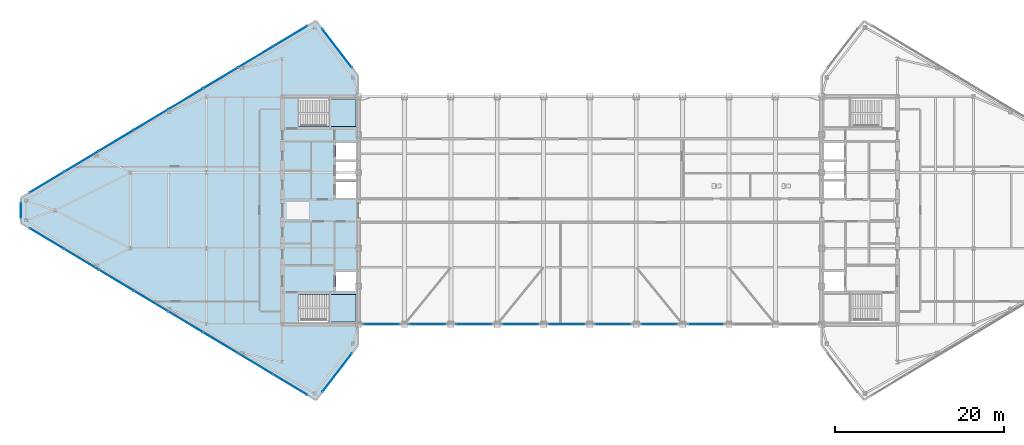
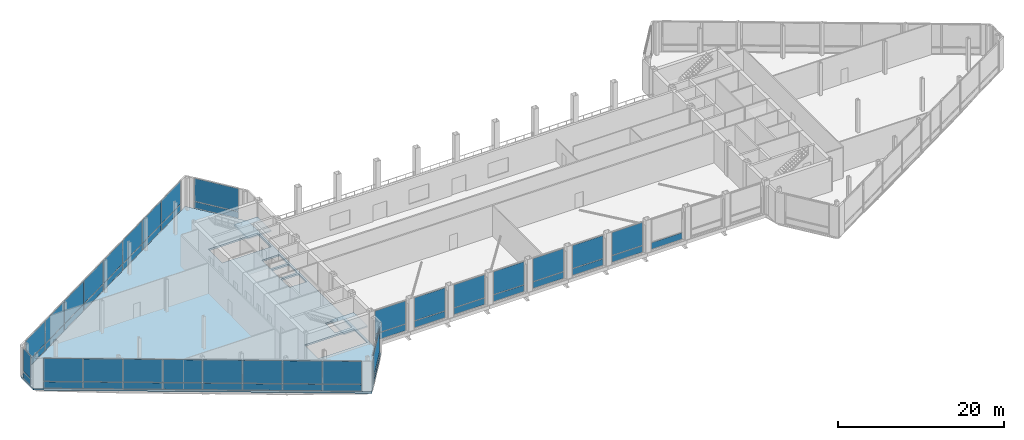
# One storey, part 19 of 28: 53 plates, 3 slabs, 15 elements without a shape of their own.
"""IFC4 building model written with IfcOpenShell, lengths in metres."""

from ifc_helpers import new_model, si_unit, direction, frame, origin, origin_2d, place, context, subcontext, project, spatial, polyline, rectangle, outline, extrude, source, transform, mapped, material, layer, layer_set, type_object, type_shapes, element, aggregate, save


model = new_model("IFC4")

# Units and contexts
model_context = context("Model", 3, precision=1e-05, world=origin(), true_north=direction((0.0, 1.0)))
body_context = subcontext(model_context, "Body", "Model", "MODEL_VIEW")
ifc_project = project(units=[si_unit("LENGTHUNIT", "METRE"), si_unit("AREAUNIT", "SQUARE_METRE"), si_unit("VOLUMEUNIT", "CUBIC_METRE"), si_unit("PLANEANGLEUNIT", "RADIAN"), si_unit("MASSUNIT", "GRAM", prefix="KILO")], contexts=[model_context])

# Site, building, storey
site_placement = place(None, origin())
site = spatial("IfcSite", under=ifc_project, at=site_placement, CompositionType="ELEMENT")
building_placement = place(site_placement, origin())
building = spatial("IfcBuilding", under=site, at=building_placement, Name="Seokmaru Belvedere", CompositionType="ELEMENT")
storey_placement = place(building_placement, frame((0.0, 0.0, 274.199951171875)))
storey = spatial("IfcBuildingStorey", under=building, at=storey_placement, Name="L72", CompositionType="ELEMENT", Elevation=274.199951171875)

# Slab
ifc_material_1 = material(Name="Concrete C50 (50 MPa)", Category="concrete")
ifc_layer_1 = layer(ifc_material_1, 0.260009765625)
ifc_layer_set_1 = layer_set([ifc_layer_1], Name="Concrete C50 (50 MPa)")
slab_type_1 = type_object("IfcSlabType", Name="Refuge and Sky-Gate Heavy Floor Slab 260", PredefinedType="FLOOR", material=ifc_layer_set_1)
slab_1_placement = place(storey_placement, frame((0.0, 0.0, -0.260009765625)))
element("IfcSlab", 1, at=slab_1_placement, inside=storey, type_object=slab_type_1, Name="L72 West Leg Floor Slab", PredefinedType="FLOOR", context=body_context, shape_type="SweptSolid", body=[
    extrude(outline(polyline([(-27.5, -16.0), (-27.5, 16.0), (-32.5, 22.5), (-67.5, 1.5), (-67.5, -1.5), (-32.5, -22.5), (-27.5, -16.0)]), holes=[polyline([(-34.60009765625, -13.25), (-27.75, -13.25), (-27.75, -9.949951171875), (-34.60009765625, -9.949951171875), (-34.60009765625, -13.25)]), polyline([(-34.60009765625, 9.949951171875), (-27.75, 9.949951171875), (-27.75, 13.25), (-34.60009765625, 13.25), (-34.60009765625, 9.949951171875)]), polyline([(-30.14990234375, -9.550048828125), (-27.75, -9.550048828125), (-27.75, -7.25), (-30.14990234375, -7.25), (-30.14990234375, -9.550048828125)]), polyline([(-30.14990234375, 1.449951171875), (-27.75, 1.449951171875), (-27.75, 3.449951171875), (-30.14990234375, 3.449951171875), (-30.14990234375, 1.449951171875)]), polyline([(-30.14990234375, 3.75), (-27.75, 3.75), (-27.75, 5.75), (-30.14990234375, 5.75), (-30.14990234375, 3.75)]), polyline([(-30.14990234375, 6.050048828125), (-27.75, 6.050048828125), (-27.75, 8.050048828125), (-30.14990234375, 8.050048828125), (-30.14990234375, 6.050048828125)])]), origin(), (0.0, 0.0, 1.0), 0.260009765625),
])

# Stair, slab
ifc_material_2 = material(Name="Concrete C40 (40 MPa)", Category="concrete")
stair_type = type_object("IfcStairType", Name="Basement Core Dog-Leg Stair 4800", PredefinedType="TWO_STRAIGHT_RUN_STAIR", material=ifc_material_2)
stair_1_placement = place(storey_placement, origin())
stair_1 = element("IfcStair", 2, at=stair_1_placement, inside=storey, type_object=stair_type, Name="L72 Special Escape Stair ST-W1", PredefinedType="TWO_STRAIGHT_RUN_STAIR")
ifc_layer_2 = layer(ifc_material_2, 0.199951171875)
ifc_layer_set_2 = layer_set([ifc_layer_2], Name="Concrete C40 (40 MPa)")
slab_type_2 = type_object("IfcSlabType", Name="Reinforced Concrete Stair Landing Slab 200", PredefinedType="LANDING", material=ifc_layer_set_2)
slab_2_placement = place(storey_placement, frame((0.0, 0.0, 2.199951171875)))
slab_2 = element("IfcSlab", 3, at=slab_2_placement, type_object=slab_type_2, Name="ST-W1 landing 1", PredefinedType="LANDING", context=body_context, shape_type="SweptSolid", body=[
    extrude(outline(polyline([(-31.0400390625, -13.239990234375), (-27.760009765625, -13.239990234375), (-27.760009765625, -9.949951171875), (-31.0400390625, -9.949951171875), (-31.0400390625, -13.239990234375)])), origin(), (0.0, 0.0, 1.0), 0.2001953125),
])
aggregate(stair_1, [slab_2])

stair_2_placement = place(storey_placement, origin())
stair_2 = element("IfcStair", 4, at=stair_2_placement, inside=storey, type_object=stair_type, Name="L72 Special Escape Stair ST-W2", PredefinedType="TWO_STRAIGHT_RUN_STAIR")
slab_3_placement = place(storey_placement, frame((0.0, 0.0, 2.199951171875)))
slab_3 = element("IfcSlab", 5, at=slab_3_placement, type_object=slab_type_2, Name="ST-W2 landing 1", PredefinedType="LANDING", context=body_context, shape_type="SweptSolid", body=[
    extrude(outline(polyline([(-31.0400390625, 9.949951171875), (-27.760009765625, 9.949951171875), (-27.760009765625, 13.239990234375), (-31.0400390625, 13.239990234375), (-31.0400390625, 9.949951171875)])), origin(), (0.0, 0.0, 1.0), 0.2001953125),
])
aggregate(stair_2, [slab_3])

# Curtain wall, plate
ifc_material_3 = material(Name="Bronze Triple Insulating Glass", Category="glass")
ifc_layer_3 = layer(ifc_material_3, 0.219970703125)
ifc_layer_set_3 = layer_set([ifc_layer_3], Name="Bronze Triple Insulating Glass")
curtain_wall_type = type_object("IfcCurtainWallType", Name="Sky-Gate Bridge Panorama Curtain Wall System CW-6", PredefinedType="NOTDEFINED", material=ifc_layer_set_3)
curtain_wall_1_placement = place(storey_placement, origin())
curtain_wall_1 = element("IfcCurtainWall", 6, at=curtain_wall_1_placement, inside=storey, type_object=curtain_wall_type, Name="L72 Curtain Wall WF2", PredefinedType="NOTDEFINED")
ifc_layer_4 = layer(ifc_material_3, 0.048095703125)
ifc_layer_set_4 = layer_set([ifc_layer_4], Name="Bronze Triple Insulating Glass")
plate_type_1 = type_object("IfcPlateType", Name="Insulated Bronze Spandrel Glazing Panel 48", PredefinedType="CURTAIN_PANEL", material=ifc_layer_set_4)
shared_shape_1 = source(origin(), body_context, "Body", "SweptSolid", [
    extrude(rectangle(XDim=5.740478515625, YDim=0.0419921875, at=origin_2d()), origin(), (0.0, 0.0, 1.0), 0.9375),
])
plate_1_placement = place(storey_placement, frame((-30.0, 19.25, 0.074951171875), z_axis=(0.0, 0.0, 1.0), x_axis=(-0.609701187349, 0.792631353244, 0.0)))
plate_1 = element("IfcPlate", 7, at=plate_1_placement, type_object=plate_type_1, Name="CW:L72:WF2 Glazing Panel 1-1", PredefinedType="CURTAIN_PANEL", context=body_context, shape_type="MappedRepresentation", body=[
    mapped(shared_shape_1, transform((0.0, 0.0, 0.0), scale=1.0)),
])

curtain_wall_2_placement = place(storey_placement, origin())
curtain_wall_2 = element("IfcCurtainWall", 8, at=curtain_wall_2_placement, inside=storey, type_object=curtain_wall_type, Name="L72 Curtain Wall WF6", PredefinedType="NOTDEFINED")
plate_2_placement = place(storey_placement, frame((-30.0, -19.25, 0.074951171875), z_axis=(0.0, 0.0, 1.0), x_axis=(0.609701187349, 0.792631353244, 0.0)))
plate_2 = element("IfcPlate", 9, at=plate_2_placement, type_object=plate_type_1, Name="CW:L72:WF6 Glazing Panel 1-1", PredefinedType="CURTAIN_PANEL", context=body_context, shape_type="MappedRepresentation", body=[
    mapped(shared_shape_1, transform((0.0, 0.0, 0.0), scale=1.0)),
])

# Curtain wall, plates
curtain_wall_3_placement = place(storey_placement, origin())
curtain_wall_3 = element("IfcCurtainWall", 10, at=curtain_wall_3_placement, inside=storey, type_object=curtain_wall_type, Name="L72 Curtain Wall WF3", PredefinedType="NOTDEFINED")
shared_shape_2 = source(origin(), body_context, "Body", "SweptSolid", [
    extrude(rectangle(XDim=4.694580078125, YDim=0.0419921875, at=origin_2d()), origin(), (0.0, 0.0, 1.0), 0.9375),
])
plate_3_placement = place(storey_placement, frame((-35.5673828125, 20.659423828125, 0.074951171875), z_axis=(0.0, 0.0, 1.0), x_axis=(-0.85749343335, -0.514494909364, 0.0)))
plate_3 = element("IfcPlate", 11, at=plate_3_placement, type_object=plate_type_1, Name="CW:L72:WF3 Glazing Panel 1-1", PredefinedType="CURTAIN_PANEL", context=body_context, shape_type="MappedRepresentation", body=[
    mapped(shared_shape_2, transform((0.0, 0.0, 0.0), scale=1.0)),
])
plate_4_placement = place(storey_placement, frame((-64.4326171875, 3.340576171875, 0.074951171875), z_axis=(0.0, 0.0, 1.0), x_axis=(-0.85749343335, -0.514494909364, 0.0)))
plate_4 = element("IfcPlate", 12, at=plate_4_placement, type_object=plate_type_1, Name="CW:L72:WF3 Glazing Panel 8-1", PredefinedType="CURTAIN_PANEL", context=body_context, shape_type="MappedRepresentation", body=[
    mapped(shared_shape_2, transform((0.0, 0.0, 0.0), scale=1.0)),
])

curtain_wall_4_placement = place(storey_placement, origin())
curtain_wall_4 = element("IfcCurtainWall", 13, at=curtain_wall_4_placement, inside=storey, type_object=curtain_wall_type, Name="L72 Curtain Wall WF5", PredefinedType="NOTDEFINED")
plate_5_placement = place(storey_placement, frame((-64.4326171875, -3.340576171875, 0.074951171875), z_axis=(0.0, 0.0, 1.0), x_axis=(0.85749343335, -0.514494909364, 0.0)))
plate_5 = element("IfcPlate", 14, at=plate_5_placement, type_object=plate_type_1, Name="CW:L72:WF5 Glazing Panel 1-1", PredefinedType="CURTAIN_PANEL", context=body_context, shape_type="MappedRepresentation", body=[
    mapped(shared_shape_2, transform((0.0, 0.0, 0.0), scale=1.0)),
])
plate_6_placement = place(storey_placement, frame((-35.5673828125, -20.659423828125, 0.074951171875), z_axis=(0.0, 0.0, 1.0), x_axis=(0.85749343335, -0.514494909364, 0.0)))
plate_6 = element("IfcPlate", 15, at=plate_6_placement, type_object=plate_type_1, Name="CW:L72:WF5 Glazing Panel 8-1", PredefinedType="CURTAIN_PANEL", context=body_context, shape_type="MappedRepresentation", body=[
    mapped(shared_shape_2, transform((0.0, 0.0, 0.0), scale=1.0)),
])

# Plate
shared_shape_3 = source(origin(), body_context, "Body", "SweptSolid", [
    extrude(rectangle(XDim=4.734619140625, YDim=0.0419921875, at=origin_2d()), origin(), (0.0, 0.0, 1.0), 0.9375),
])
plate_7_placement = place(storey_placement, frame((-39.6787109375, 18.192626953125, 0.074951171875), z_axis=(0.0, 0.0, 1.0), x_axis=(-0.85749343335, -0.514494909364, 0.0)))
plate_7 = element("IfcPlate", 16, at=plate_7_placement, type_object=plate_type_1, Name="CW:L72:WF3 Glazing Panel 2-1", PredefinedType="CURTAIN_PANEL", context=body_context, shape_type="MappedRepresentation", body=[
    mapped(shared_shape_3, transform((0.0, 0.0, 0.0), scale=1.0)),
])

plate_8_placement = place(storey_placement, frame((-43.807373046875, 15.715576171875, 0.074951171875), z_axis=(0.0, 0.0, 1.0), x_axis=(-0.85749343335, -0.514494909364, 0.0)))
plate_8 = element("IfcPlate", 17, at=plate_8_placement, type_object=plate_type_1, Name="CW:L72:WF3 Glazing Panel 3-1", PredefinedType="CURTAIN_PANEL", context=body_context, shape_type="MappedRepresentation", body=[
    mapped(shared_shape_3, transform((0.0, 0.0, 0.0), scale=1.0)),
])

plate_9_placement = place(storey_placement, frame((-47.935791015625, 13.238525390625, 0.074951171875), z_axis=(0.0, 0.0, 1.0), x_axis=(-0.85749343335, -0.514494909364, 0.0)))
plate_9 = element("IfcPlate", 18, at=plate_9_placement, type_object=plate_type_1, Name="CW:L72:WF3 Glazing Panel 4-1", PredefinedType="CURTAIN_PANEL", context=body_context, shape_type="MappedRepresentation", body=[
    mapped(shared_shape_3, transform((0.0, 0.0, 0.0), scale=1.0)),
])

plate_10_placement = place(storey_placement, frame((-52.064208984375, 10.761474609375, 0.074951171875), z_axis=(0.0, 0.0, 1.0), x_axis=(-0.85749343335, -0.514494909364, 0.0)))
plate_10 = element("IfcPlate", 19, at=plate_10_placement, type_object=plate_type_1, Name="CW:L72:WF3 Glazing Panel 5-1", PredefinedType="CURTAIN_PANEL", context=body_context, shape_type="MappedRepresentation", body=[
    mapped(shared_shape_3, transform((0.0, 0.0, 0.0), scale=1.0)),
])

plate_11_placement = place(storey_placement, frame((-56.192626953125, 8.284423828125, 0.074951171875), z_axis=(0.0, 0.0, 1.0), x_axis=(-0.85749343335, -0.514494909364, 0.0)))
plate_11 = element("IfcPlate", 20, at=plate_11_placement, type_object=plate_type_1, Name="CW:L72:WF3 Glazing Panel 6-1", PredefinedType="CURTAIN_PANEL", context=body_context, shape_type="MappedRepresentation", body=[
    mapped(shared_shape_3, transform((0.0, 0.0, 0.0), scale=1.0)),
])

plate_12_placement = place(storey_placement, frame((-60.3212890625, 5.807373046875, 0.074951171875), z_axis=(0.0, 0.0, 1.0), x_axis=(-0.85749343335, -0.514494909364, 0.0)))
plate_12 = element("IfcPlate", 21, at=plate_12_placement, type_object=plate_type_1, Name="CW:L72:WF3 Glazing Panel 7-1", PredefinedType="CURTAIN_PANEL", context=body_context, shape_type="MappedRepresentation", body=[
    mapped(shared_shape_3, transform((0.0, 0.0, 0.0), scale=1.0)),
])

plate_13_placement = place(storey_placement, frame((-60.3212890625, -5.807373046875, 0.074951171875), z_axis=(0.0, 0.0, 1.0), x_axis=(0.85749343335, -0.514494909364, 0.0)))
plate_13 = element("IfcPlate", 22, at=plate_13_placement, type_object=plate_type_1, Name="CW:L72:WF5 Glazing Panel 2-1", PredefinedType="CURTAIN_PANEL", context=body_context, shape_type="MappedRepresentation", body=[
    mapped(shared_shape_3, transform((0.0, 0.0, 0.0), scale=1.0)),
])

plate_14_placement = place(storey_placement, frame((-56.192626953125, -8.284423828125, 0.074951171875), z_axis=(0.0, 0.0, 1.0), x_axis=(0.85749343335, -0.514494909364, 0.0)))
plate_14 = element("IfcPlate", 23, at=plate_14_placement, type_object=plate_type_1, Name="CW:L72:WF5 Glazing Panel 3-1", PredefinedType="CURTAIN_PANEL", context=body_context, shape_type="MappedRepresentation", body=[
    mapped(shared_shape_3, transform((0.0, 0.0, 0.0), scale=1.0)),
])

plate_15_placement = place(storey_placement, frame((-52.064208984375, -10.761474609375, 0.074951171875), z_axis=(0.0, 0.0, 1.0), x_axis=(0.85749343335, -0.514494909364, 0.0)))
plate_15 = element("IfcPlate", 24, at=plate_15_placement, type_object=plate_type_1, Name="CW:L72:WF5 Glazing Panel 4-1", PredefinedType="CURTAIN_PANEL", context=body_context, shape_type="MappedRepresentation", body=[
    mapped(shared_shape_3, transform((0.0, 0.0, 0.0), scale=1.0)),
])

plate_16_placement = place(storey_placement, frame((-47.935791015625, -13.238525390625, 0.074951171875), z_axis=(0.0, 0.0, 1.0), x_axis=(0.85749343335, -0.514494909364, 0.0)))
plate_16 = element("IfcPlate", 25, at=plate_16_placement, type_object=plate_type_1, Name="CW:L72:WF5 Glazing Panel 5-1", PredefinedType="CURTAIN_PANEL", context=body_context, shape_type="MappedRepresentation", body=[
    mapped(shared_shape_3, transform((0.0, 0.0, 0.0), scale=1.0)),
])

plate_17_placement = place(storey_placement, frame((-43.807373046875, -15.715576171875, 0.074951171875), z_axis=(0.0, 0.0, 1.0), x_axis=(0.85749343335, -0.514494909364, 0.0)))
plate_17 = element("IfcPlate", 26, at=plate_17_placement, type_object=plate_type_1, Name="CW:L72:WF5 Glazing Panel 6-1", PredefinedType="CURTAIN_PANEL", context=body_context, shape_type="MappedRepresentation", body=[
    mapped(shared_shape_3, transform((0.0, 0.0, 0.0), scale=1.0)),
])

plate_18_placement = place(storey_placement, frame((-39.6787109375, -18.192626953125, 0.074951171875), z_axis=(0.0, 0.0, 1.0), x_axis=(0.85749343335, -0.514494909364, 0.0)))
plate_18 = element("IfcPlate", 27, at=plate_18_placement, type_object=plate_type_1, Name="CW:L72:WF5 Glazing Panel 7-1", PredefinedType="CURTAIN_PANEL", context=body_context, shape_type="MappedRepresentation", body=[
    mapped(shared_shape_3, transform((0.0, 0.0, 0.0), scale=1.0)),
])

# Curtain wall, plate
curtain_wall_5_placement = place(storey_placement, origin())
curtain_wall_5 = element("IfcCurtainWall", 28, at=curtain_wall_5_placement, inside=storey, type_object=curtain_wall_type, Name="L72 Curtain Wall WF4", PredefinedType="NOTDEFINED")
shared_shape_4 = source(origin(), body_context, "Body", "SweptSolid", [
    extrude(rectangle(XDim=1.739990234375, YDim=0.0419921875, at=origin_2d()), origin(), (0.0, 0.0, 1.0), 0.9375),
])
plate_19_placement = place(storey_placement, frame((-67.5, 0.0, 0.074951171875), z_axis=(0.0, 0.0, 1.0), x_axis=(0.0, -1.0, 0.0)))
plate_19 = element("IfcPlate", 29, at=plate_19_placement, type_object=plate_type_1, Name="CW:L72:WF4 Glazing Panel 1-1", PredefinedType="CURTAIN_PANEL", context=body_context, shape_type="MappedRepresentation", body=[
    mapped(shared_shape_4, transform((0.0, 0.0, 0.0), scale=1.0)),
])

curtain_wall_6_placement = place(storey_placement, origin())
curtain_wall_6 = element("IfcCurtainWall", 30, at=curtain_wall_6_placement, inside=storey, type_object=curtain_wall_type, Name="L72 Curtain Wall BR_S01", PredefinedType="NOTDEFINED")
shared_shape_5 = source(origin(), body_context, "Body", "SweptSolid", [
    extrude(rectangle(XDim=4.239990234375, YDim=0.0419921875, at=origin_2d()), origin(), (0.0, 0.0, 1.0), 0.9375),
])
type_shapes(plate_type_1, [shared_shape_1, shared_shape_2, shared_shape_3, shared_shape_4, shared_shape_5])
plate_20_placement = place(storey_placement, frame((-24.75, -13.5, 0.074951171875), z_axis=(0.0, 0.0, 1.0), x_axis=(1.0, 0.0, 0.0)))
plate_20 = element("IfcPlate", 31, at=plate_20_placement, type_object=plate_type_1, Name="CW:L72:BR_S01 Glazing Panel 1-1", PredefinedType="CURTAIN_PANEL", context=body_context, shape_type="MappedRepresentation", body=[
    mapped(shared_shape_5, transform((0.0, 0.0, 0.0), scale=1.0)),
])

curtain_wall_7_placement = place(storey_placement, origin())
curtain_wall_7 = element("IfcCurtainWall", 32, at=curtain_wall_7_placement, inside=storey, type_object=curtain_wall_type, Name="L72 Curtain Wall BR_S02", PredefinedType="NOTDEFINED")
plate_21_placement = place(storey_placement, frame((-19.25, -13.5, 0.074951171875), z_axis=(0.0, 0.0, 1.0), x_axis=(1.0, 0.0, 0.0)))
plate_21 = element("IfcPlate", 33, at=plate_21_placement, type_object=plate_type_1, Name="CW:L72:BR_S02 Glazing Panel 1-1", PredefinedType="CURTAIN_PANEL", context=body_context, shape_type="MappedRepresentation", body=[
    mapped(shared_shape_5, transform((0.0, 0.0, 0.0), scale=1.0)),
])

curtain_wall_8_placement = place(storey_placement, origin())
curtain_wall_8 = element("IfcCurtainWall", 34, at=curtain_wall_8_placement, inside=storey, type_object=curtain_wall_type, Name="L72 Curtain Wall BR_S03", PredefinedType="NOTDEFINED")
plate_22_placement = place(storey_placement, frame((-13.75, -13.5, 0.074951171875), z_axis=(0.0, 0.0, 1.0), x_axis=(1.0, 0.0, 0.0)))
plate_22 = element("IfcPlate", 35, at=plate_22_placement, type_object=plate_type_1, Name="CW:L72:BR_S03 Glazing Panel 1-1", PredefinedType="CURTAIN_PANEL", context=body_context, shape_type="MappedRepresentation", body=[
    mapped(shared_shape_5, transform((0.0, 0.0, 0.0), scale=1.0)),
])

curtain_wall_9_placement = place(storey_placement, origin())
curtain_wall_9 = element("IfcCurtainWall", 36, at=curtain_wall_9_placement, inside=storey, type_object=curtain_wall_type, Name="L72 Curtain Wall BR_S04", PredefinedType="NOTDEFINED")
plate_23_placement = place(storey_placement, frame((-8.25, -13.5, 0.074951171875), z_axis=(0.0, 0.0, 1.0), x_axis=(1.0, 0.0, 0.0)))
plate_23 = element("IfcPlate", 37, at=plate_23_placement, type_object=plate_type_1, Name="CW:L72:BR_S04 Glazing Panel 1-1", PredefinedType="CURTAIN_PANEL", context=body_context, shape_type="MappedRepresentation", body=[
    mapped(shared_shape_5, transform((0.0, 0.0, 0.0), scale=1.0)),
])

curtain_wall_10_placement = place(storey_placement, origin())
curtain_wall_10 = element("IfcCurtainWall", 38, at=curtain_wall_10_placement, inside=storey, type_object=curtain_wall_type, Name="L72 Curtain Wall BR_S05", PredefinedType="NOTDEFINED")
plate_24_placement = place(storey_placement, frame((-2.75, -13.5, 0.074951171875), z_axis=(0.0, 0.0, 1.0), x_axis=(1.0, 0.0, 0.0)))
plate_24 = element("IfcPlate", 39, at=plate_24_placement, type_object=plate_type_1, Name="CW:L72:BR_S05 Glazing Panel 1-1", PredefinedType="CURTAIN_PANEL", context=body_context, shape_type="MappedRepresentation", body=[
    mapped(shared_shape_5, transform((0.0, 0.0, 0.0), scale=1.0)),
])

curtain_wall_11_placement = place(storey_placement, origin())
curtain_wall_11 = element("IfcCurtainWall", 40, at=curtain_wall_11_placement, inside=storey, type_object=curtain_wall_type, Name="L72 Curtain Wall BR_S06", PredefinedType="NOTDEFINED")
plate_25_placement = place(storey_placement, frame((2.75, -13.5, 0.074951171875), z_axis=(0.0, 0.0, 1.0), x_axis=(1.0, 0.0, 0.0)))
plate_25 = element("IfcPlate", 41, at=plate_25_placement, type_object=plate_type_1, Name="CW:L72:BR_S06 Glazing Panel 1-1", PredefinedType="CURTAIN_PANEL", context=body_context, shape_type="MappedRepresentation", body=[
    mapped(shared_shape_5, transform((0.0, 0.0, 0.0), scale=1.0)),
])

curtain_wall_12_placement = place(storey_placement, origin())
curtain_wall_12 = element("IfcCurtainWall", 42, at=curtain_wall_12_placement, inside=storey, type_object=curtain_wall_type, Name="L72 Curtain Wall BR_S07", PredefinedType="NOTDEFINED")
plate_26_placement = place(storey_placement, frame((8.25, -13.5, 0.074951171875), z_axis=(0.0, 0.0, 1.0), x_axis=(1.0, 0.0, 0.0)))
plate_26 = element("IfcPlate", 43, at=plate_26_placement, type_object=plate_type_1, Name="CW:L72:BR_S07 Glazing Panel 1-1", PredefinedType="CURTAIN_PANEL", context=body_context, shape_type="MappedRepresentation", body=[
    mapped(shared_shape_5, transform((0.0, 0.0, 0.0), scale=1.0)),
])

curtain_wall_13_placement = place(storey_placement, origin())
curtain_wall_13 = element("IfcCurtainWall", 44, at=curtain_wall_13_placement, inside=storey, type_object=curtain_wall_type, Name="L72 Curtain Wall BR_S08", PredefinedType="NOTDEFINED")
plate_27_placement = place(storey_placement, frame((13.75, -13.5, 0.074951171875), z_axis=(0.0, 0.0, 1.0), x_axis=(1.0, 0.0, 0.0)))
plate_27 = element("IfcPlate", 45, at=plate_27_placement, type_object=plate_type_1, Name="CW:L72:BR_S08 Glazing Panel 1-1", PredefinedType="CURTAIN_PANEL", context=body_context, shape_type="MappedRepresentation", body=[
    mapped(shared_shape_5, transform((0.0, 0.0, 0.0), scale=1.0)),
])
aggregate(curtain_wall_13, [plate_27])

# Plate
ifc_layer_5 = layer(ifc_material_3, 0.0419921875)
ifc_layer_set_5 = layer_set([ifc_layer_5], Name="Bronze Triple Insulating Glass")
plate_type_2 = type_object("IfcPlateType", Name="Acoustic Laminated Panorama Glazing Panel 42", PredefinedType="CURTAIN_PANEL", material=ifc_layer_set_5)
shared_shape_6 = source(origin(), body_context, "Body", "SweptSolid", [
    extrude(rectangle(XDim=5.740478515625, YDim=0.0419921875, at=origin_2d()), origin(), (0.0, 0.0, 1.0), 3.357421875),
])
plate_28_placement = place(storey_placement, frame((-30.0, 19.25, 1.087646484375), z_axis=(0.0, 0.0, 1.0), x_axis=(-0.609701187349, 0.792631353244, 0.0)))
plate_28 = element("IfcPlate", 46, at=plate_28_placement, type_object=plate_type_2, Name="CW:L72:WF2 Glazing Panel 1-2", PredefinedType="CURTAIN_PANEL", context=body_context, shape_type="MappedRepresentation", body=[
    mapped(shared_shape_6, transform((0.0, 0.0, 0.0), scale=1.0)),
])

aggregate(curtain_wall_1, [plate_1, plate_28])

plate_29_placement = place(storey_placement, frame((-30.0, -19.25, 1.087646484375), z_axis=(0.0, 0.0, 1.0), x_axis=(0.609701187349, 0.792631353244, 0.0)))
plate_29 = element("IfcPlate", 47, at=plate_29_placement, type_object=plate_type_2, Name="CW:L72:WF6 Glazing Panel 1-2", PredefinedType="CURTAIN_PANEL", context=body_context, shape_type="MappedRepresentation", body=[
    mapped(shared_shape_6, transform((0.0, 0.0, 0.0), scale=1.0)),
])

aggregate(curtain_wall_2, [plate_2, plate_29])

shared_shape_7 = source(origin(), body_context, "Body", "SweptSolid", [
    extrude(rectangle(XDim=4.694580078125, YDim=0.0419921875, at=origin_2d()), origin(), (0.0, 0.0, 1.0), 3.357421875),
])
plate_30_placement = place(storey_placement, frame((-35.5673828125, 20.659423828125, 1.087646484375), z_axis=(0.0, 0.0, 1.0), x_axis=(-0.85749343335, -0.514494909364, 0.0)))
plate_30 = element("IfcPlate", 48, at=plate_30_placement, type_object=plate_type_2, Name="CW:L72:WF3 Glazing Panel 1-2", PredefinedType="CURTAIN_PANEL", context=body_context, shape_type="MappedRepresentation", body=[
    mapped(shared_shape_7, transform((0.0, 0.0, 0.0), scale=1.0)),
])

plate_31_placement = place(storey_placement, frame((-64.4326171875, 3.340576171875, 1.087646484375), z_axis=(0.0, 0.0, 1.0), x_axis=(-0.85749343335, -0.514494909364, 0.0)))
plate_31 = element("IfcPlate", 49, at=plate_31_placement, type_object=plate_type_2, Name="CW:L72:WF3 Glazing Panel 8-2", PredefinedType="CURTAIN_PANEL", context=body_context, shape_type="MappedRepresentation", body=[
    mapped(shared_shape_7, transform((0.0, 0.0, 0.0), scale=1.0)),
])

plate_32_placement = place(storey_placement, frame((-64.4326171875, -3.340576171875, 1.087646484375), z_axis=(0.0, 0.0, 1.0), x_axis=(0.85749343335, -0.514494909364, 0.0)))
plate_32 = element("IfcPlate", 50, at=plate_32_placement, type_object=plate_type_2, Name="CW:L72:WF5 Glazing Panel 1-2", PredefinedType="CURTAIN_PANEL", context=body_context, shape_type="MappedRepresentation", body=[
    mapped(shared_shape_7, transform((0.0, 0.0, 0.0), scale=1.0)),
])

plate_33_placement = place(storey_placement, frame((-35.5673828125, -20.659423828125, 1.087646484375), z_axis=(0.0, 0.0, 1.0), x_axis=(0.85749343335, -0.514494909364, 0.0)))
plate_33 = element("IfcPlate", 51, at=plate_33_placement, type_object=plate_type_2, Name="CW:L72:WF5 Glazing Panel 8-2", PredefinedType="CURTAIN_PANEL", context=body_context, shape_type="MappedRepresentation", body=[
    mapped(shared_shape_7, transform((0.0, 0.0, 0.0), scale=1.0)),
])

shared_shape_8 = source(origin(), body_context, "Body", "SweptSolid", [
    extrude(rectangle(XDim=4.734619140625, YDim=0.0419921875, at=origin_2d()), origin(), (0.0, 0.0, 1.0), 3.357421875),
])
plate_34_placement = place(storey_placement, frame((-39.6787109375, 18.192626953125, 1.087646484375), z_axis=(0.0, 0.0, 1.0), x_axis=(-0.85749343335, -0.514494909364, 0.0)))
plate_34 = element("IfcPlate", 52, at=plate_34_placement, type_object=plate_type_2, Name="CW:L72:WF3 Glazing Panel 2-2", PredefinedType="CURTAIN_PANEL", context=body_context, shape_type="MappedRepresentation", body=[
    mapped(shared_shape_8, transform((0.0, 0.0, 0.0), scale=1.0)),
])

plate_35_placement = place(storey_placement, frame((-43.807373046875, 15.715576171875, 1.087646484375), z_axis=(0.0, 0.0, 1.0), x_axis=(-0.85749343335, -0.514494909364, 0.0)))
plate_35 = element("IfcPlate", 53, at=plate_35_placement, type_object=plate_type_2, Name="CW:L72:WF3 Glazing Panel 3-2", PredefinedType="CURTAIN_PANEL", context=body_context, shape_type="MappedRepresentation", body=[
    mapped(shared_shape_8, transform((0.0, 0.0, 0.0), scale=1.0)),
])

plate_36_placement = place(storey_placement, frame((-47.935791015625, 13.238525390625, 1.087646484375), z_axis=(0.0, 0.0, 1.0), x_axis=(-0.85749343335, -0.514494909364, 0.0)))
plate_36 = element("IfcPlate", 54, at=plate_36_placement, type_object=plate_type_2, Name="CW:L72:WF3 Glazing Panel 4-2", PredefinedType="CURTAIN_PANEL", context=body_context, shape_type="MappedRepresentation", body=[
    mapped(shared_shape_8, transform((0.0, 0.0, 0.0), scale=1.0)),
])

plate_37_placement = place(storey_placement, frame((-52.064208984375, 10.761474609375, 1.087646484375), z_axis=(0.0, 0.0, 1.0), x_axis=(-0.85749343335, -0.514494909364, 0.0)))
plate_37 = element("IfcPlate", 55, at=plate_37_placement, type_object=plate_type_2, Name="CW:L72:WF3 Glazing Panel 5-2", PredefinedType="CURTAIN_PANEL", context=body_context, shape_type="MappedRepresentation", body=[
    mapped(shared_shape_8, transform((0.0, 0.0, 0.0), scale=1.0)),
])

plate_38_placement = place(storey_placement, frame((-56.192626953125, 8.284423828125, 1.087646484375), z_axis=(0.0, 0.0, 1.0), x_axis=(-0.85749343335, -0.514494909364, 0.0)))
plate_38 = element("IfcPlate", 56, at=plate_38_placement, type_object=plate_type_2, Name="CW:L72:WF3 Glazing Panel 6-2", PredefinedType="CURTAIN_PANEL", context=body_context, shape_type="MappedRepresentation", body=[
    mapped(shared_shape_8, transform((0.0, 0.0, 0.0), scale=1.0)),
])

plate_39_placement = place(storey_placement, frame((-60.3212890625, 5.807373046875, 1.087646484375), z_axis=(0.0, 0.0, 1.0), x_axis=(-0.85749343335, -0.514494909364, 0.0)))
plate_39 = element("IfcPlate", 57, at=plate_39_placement, type_object=plate_type_2, Name="CW:L72:WF3 Glazing Panel 7-2", PredefinedType="CURTAIN_PANEL", context=body_context, shape_type="MappedRepresentation", body=[
    mapped(shared_shape_8, transform((0.0, 0.0, 0.0), scale=1.0)),
])

aggregate(curtain_wall_3, [plate_3, plate_30, plate_7, plate_34, plate_8, plate_35, plate_9, plate_36, plate_10, plate_37, plate_11, plate_38, plate_12, plate_39, plate_4, plate_31])

plate_40_placement = place(storey_placement, frame((-60.3212890625, -5.807373046875, 1.087646484375), z_axis=(0.0, 0.0, 1.0), x_axis=(0.85749343335, -0.514494909364, 0.0)))
plate_40 = element("IfcPlate", 58, at=plate_40_placement, type_object=plate_type_2, Name="CW:L72:WF5 Glazing Panel 2-2", PredefinedType="CURTAIN_PANEL", context=body_context, shape_type="MappedRepresentation", body=[
    mapped(shared_shape_8, transform((0.0, 0.0, 0.0), scale=1.0)),
])

plate_41_placement = place(storey_placement, frame((-56.192626953125, -8.284423828125, 1.087646484375), z_axis=(0.0, 0.0, 1.0), x_axis=(0.85749343335, -0.514494909364, 0.0)))
plate_41 = element("IfcPlate", 59, at=plate_41_placement, type_object=plate_type_2, Name="CW:L72:WF5 Glazing Panel 3-2", PredefinedType="CURTAIN_PANEL", context=body_context, shape_type="MappedRepresentation", body=[
    mapped(shared_shape_8, transform((0.0, 0.0, 0.0), scale=1.0)),
])

plate_42_placement = place(storey_placement, frame((-52.064208984375, -10.761474609375, 1.087646484375), z_axis=(0.0, 0.0, 1.0), x_axis=(0.85749343335, -0.514494909364, 0.0)))
plate_42 = element("IfcPlate", 60, at=plate_42_placement, type_object=plate_type_2, Name="CW:L72:WF5 Glazing Panel 4-2", PredefinedType="CURTAIN_PANEL", context=body_context, shape_type="MappedRepresentation", body=[
    mapped(shared_shape_8, transform((0.0, 0.0, 0.0), scale=1.0)),
])

plate_43_placement = place(storey_placement, frame((-47.935791015625, -13.238525390625, 1.087646484375), z_axis=(0.0, 0.0, 1.0), x_axis=(0.85749343335, -0.514494909364, 0.0)))
plate_43 = element("IfcPlate", 61, at=plate_43_placement, type_object=plate_type_2, Name="CW:L72:WF5 Glazing Panel 5-2", PredefinedType="CURTAIN_PANEL", context=body_context, shape_type="MappedRepresentation", body=[
    mapped(shared_shape_8, transform((0.0, 0.0, 0.0), scale=1.0)),
])

plate_44_placement = place(storey_placement, frame((-43.807373046875, -15.715576171875, 1.087646484375), z_axis=(0.0, 0.0, 1.0), x_axis=(0.85749343335, -0.514494909364, 0.0)))
plate_44 = element("IfcPlate", 62, at=plate_44_placement, type_object=plate_type_2, Name="CW:L72:WF5 Glazing Panel 6-2", PredefinedType="CURTAIN_PANEL", context=body_context, shape_type="MappedRepresentation", body=[
    mapped(shared_shape_8, transform((0.0, 0.0, 0.0), scale=1.0)),
])

plate_45_placement = place(storey_placement, frame((-39.6787109375, -18.192626953125, 1.087646484375), z_axis=(0.0, 0.0, 1.0), x_axis=(0.85749343335, -0.514494909364, 0.0)))
plate_45 = element("IfcPlate", 63, at=plate_45_placement, type_object=plate_type_2, Name="CW:L72:WF5 Glazing Panel 7-2", PredefinedType="CURTAIN_PANEL", context=body_context, shape_type="MappedRepresentation", body=[
    mapped(shared_shape_8, transform((0.0, 0.0, 0.0), scale=1.0)),
])

aggregate(curtain_wall_4, [plate_5, plate_32, plate_13, plate_40, plate_14, plate_41, plate_15, plate_42, plate_16, plate_43, plate_17, plate_44, plate_18, plate_45, plate_6, plate_33])

shared_shape_9 = source(origin(), body_context, "Body", "SweptSolid", [
    extrude(rectangle(XDim=1.739990234375, YDim=0.0419921875, at=origin_2d()), origin(), (0.0, 0.0, 1.0), 3.357421875),
])
plate_46_placement = place(storey_placement, frame((-67.5, 0.0, 1.087646484375), z_axis=(0.0, 0.0, 1.0), x_axis=(0.0, -1.0, 0.0)))
plate_46 = element("IfcPlate", 64, at=plate_46_placement, type_object=plate_type_2, Name="CW:L72:WF4 Glazing Panel 1-2", PredefinedType="CURTAIN_PANEL", context=body_context, shape_type="MappedRepresentation", body=[
    mapped(shared_shape_9, transform((0.0, 0.0, 0.0), scale=1.0)),
])

aggregate(curtain_wall_5, [plate_19, plate_46])

shared_shape_10 = source(origin(), body_context, "Body", "SweptSolid", [
    extrude(rectangle(XDim=4.239990234375, YDim=0.0419921875, at=origin_2d()), origin(), (0.0, 0.0, 1.0), 3.357421875),
])
type_shapes(plate_type_2, [shared_shape_6, shared_shape_7, shared_shape_8, shared_shape_9, shared_shape_10])
plate_47_placement = place(storey_placement, frame((-24.75, -13.5, 1.087646484375), z_axis=(0.0, 0.0, 1.0), x_axis=(1.0, 0.0, 0.0)))
plate_47 = element("IfcPlate", 65, at=plate_47_placement, type_object=plate_type_2, Name="CW:L72:BR_S01 Glazing Panel 1-2", PredefinedType="CURTAIN_PANEL", context=body_context, shape_type="MappedRepresentation", body=[
    mapped(shared_shape_10, transform((0.0, 0.0, 0.0), scale=1.0)),
])

aggregate(curtain_wall_6, [plate_20, plate_47])

plate_48_placement = place(storey_placement, frame((-19.25, -13.5, 1.087646484375), z_axis=(0.0, 0.0, 1.0), x_axis=(1.0, 0.0, 0.0)))
plate_48 = element("IfcPlate", 66, at=plate_48_placement, type_object=plate_type_2, Name="CW:L72:BR_S02 Glazing Panel 1-2", PredefinedType="CURTAIN_PANEL", context=body_context, shape_type="MappedRepresentation", body=[
    mapped(shared_shape_10, transform((0.0, 0.0, 0.0), scale=1.0)),
])

aggregate(curtain_wall_7, [plate_21, plate_48])

plate_49_placement = place(storey_placement, frame((-13.75, -13.5, 1.087646484375), z_axis=(0.0, 0.0, 1.0), x_axis=(1.0, 0.0, 0.0)))
plate_49 = element("IfcPlate", 67, at=plate_49_placement, type_object=plate_type_2, Name="CW:L72:BR_S03 Glazing Panel 1-2", PredefinedType="CURTAIN_PANEL", context=body_context, shape_type="MappedRepresentation", body=[
    mapped(shared_shape_10, transform((0.0, 0.0, 0.0), scale=1.0)),
])

aggregate(curtain_wall_8, [plate_22, plate_49])

plate_50_placement = place(storey_placement, frame((-8.25, -13.5, 1.087646484375), z_axis=(0.0, 0.0, 1.0), x_axis=(1.0, 0.0, 0.0)))
plate_50 = element("IfcPlate", 68, at=plate_50_placement, type_object=plate_type_2, Name="CW:L72:BR_S04 Glazing Panel 1-2", PredefinedType="CURTAIN_PANEL", context=body_context, shape_type="MappedRepresentation", body=[
    mapped(shared_shape_10, transform((0.0, 0.0, 0.0), scale=1.0)),
])

aggregate(curtain_wall_9, [plate_23, plate_50])

plate_51_placement = place(storey_placement, frame((-2.75, -13.5, 1.087646484375), z_axis=(0.0, 0.0, 1.0), x_axis=(1.0, 0.0, 0.0)))
plate_51 = element("IfcPlate", 69, at=plate_51_placement, type_object=plate_type_2, Name="CW:L72:BR_S05 Glazing Panel 1-2", PredefinedType="CURTAIN_PANEL", context=body_context, shape_type="MappedRepresentation", body=[
    mapped(shared_shape_10, transform((0.0, 0.0, 0.0), scale=1.0)),
])

aggregate(curtain_wall_10, [plate_24, plate_51])

plate_52_placement = place(storey_placement, frame((2.75, -13.5, 1.087646484375), z_axis=(0.0, 0.0, 1.0), x_axis=(1.0, 0.0, 0.0)))
plate_52 = element("IfcPlate", 70, at=plate_52_placement, type_object=plate_type_2, Name="CW:L72:BR_S06 Glazing Panel 1-2", PredefinedType="CURTAIN_PANEL", context=body_context, shape_type="MappedRepresentation", body=[
    mapped(shared_shape_10, transform((0.0, 0.0, 0.0), scale=1.0)),
])

aggregate(curtain_wall_11, [plate_25, plate_52])

plate_53_placement = place(storey_placement, frame((8.25, -13.5, 1.087646484375), z_axis=(0.0, 0.0, 1.0), x_axis=(1.0, 0.0, 0.0)))
plate_53 = element("IfcPlate", 71, at=plate_53_placement, type_object=plate_type_2, Name="CW:L72:BR_S07 Glazing Panel 1-2", PredefinedType="CURTAIN_PANEL", context=body_context, shape_type="MappedRepresentation", body=[
    mapped(shared_shape_10, transform((0.0, 0.0, 0.0), scale=1.0)),
])

aggregate(curtain_wall_12, [plate_26, plate_53])

save(model, "model.ifc")
